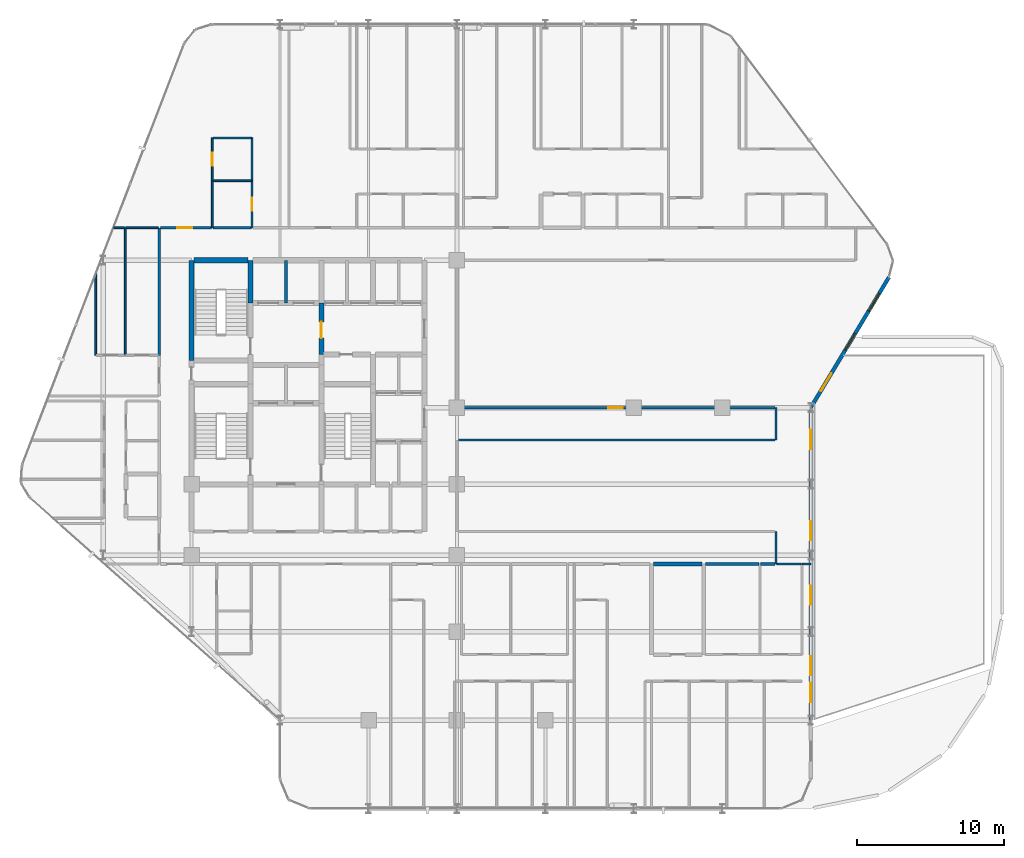
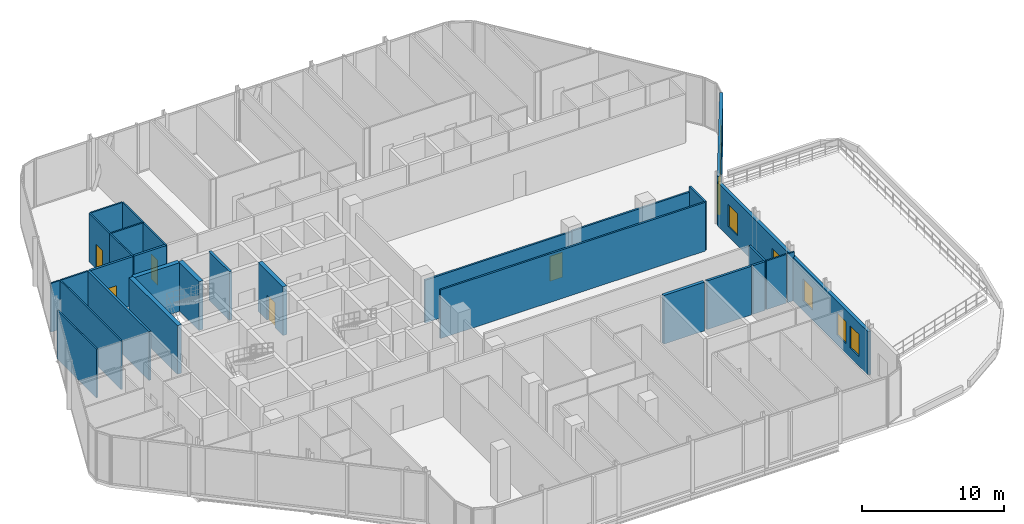
# One storey, part 25 of 30: 30 walls, 7 windows, 6 doors, 13 openings.
"""IFC4 building model written with IfcOpenShell, lengths in metres."""

from ifc_helpers import new_model, si_unit, direction, frame, frame_2d, origin, place, context, subcontext, project, spatial, rectangle, extrude, material, layer, layer_set, type_object, element, fill, save


model = new_model("IFC4")

# Units and contexts
model_context = context("Model", 3, precision=1e-05, world=origin(), true_north=direction((0.0, 1.0)))
body_context = subcontext(model_context, "Body", "Model", "MODEL_VIEW")
ifc_project = project(units=[si_unit("LENGTHUNIT", "METRE"), si_unit("AREAUNIT", "SQUARE_METRE"), si_unit("VOLUMEUNIT", "CUBIC_METRE"), si_unit("PLANEANGLEUNIT", "RADIAN"), si_unit("MASSUNIT", "GRAM", prefix="KILO")], contexts=[model_context])

# Site, building, storey
site_placement = place(None, origin())
site = spatial("IfcSite", under=ifc_project, at=site_placement, CompositionType="ELEMENT")
building_placement = place(site_placement, origin())
building = spatial("IfcBuilding", under=site, at=building_placement, Name="Keshet Zoharim Tower", CompositionType="ELEMENT")
storey_placement = place(building_placement, frame((0.0, 0.0, 86.39990234375)))
storey = spatial("IfcBuildingStorey", under=building, at=storey_placement, Name="L20", CompositionType="ELEMENT", Elevation=86.39990234375)

# Walls
ifc_material_1 = material(Name="Gypsum Plasterboard", Category="gypsum")
ifc_layer_1 = layer(ifc_material_1, 0.14990234375)
ifc_layer_set_1 = layer_set([ifc_layer_1], Name="Gypsum Plasterboard")
wall_type_1 = type_object("IfcWallType", Name="WL-CLIN-150", PredefinedType="STANDARD", material=ifc_layer_set_1)
wall_1_placement = place(storey_placement, frame((54.64990234375, 17.31005859375, 0.0), z_axis=(0.0, 0.0, 1.0), x_axis=(0.0, 1.0, 0.0)))
element("IfcWall", 1, at=wall_1_placement, inside=storey, type_object=wall_type_1, Name="L20 Interior Wall 110", PredefinedType="STANDARD", context=body_context, shape_type="SweptSolid", body=[
    extrude(rectangle(XDim=2.18994140625, YDim=0.14990234375, at=frame_2d((1.094970703125, 0.0))), origin(), (0.0, 0.0, 1.0), 4.18505859375),
])
wall_2_placement = place(storey_placement, frame((54.64990234375, 25.699951171875, 0.0), z_axis=(0.0, 0.0, 1.0), x_axis=(0.0, 1.0, 0.0)))
element("IfcWall", 2, at=wall_2_placement, inside=storey, type_object=wall_type_1, Name="L20 Interior Wall 111", PredefinedType="STANDARD", context=body_context, shape_type="SweptSolid", body=[
    extrude(rectangle(XDim=2.199951171875, YDim=0.14990234375, at=frame_2d((1.10009765625, 0.0))), origin(), (0.0, 0.0, 1.0), 4.18505859375),
])
wall_3_placement = place(storey_placement, frame((33.070068359375, 25.699951171875, 0.0), z_axis=(0.0, 0.0, 1.0), x_axis=(1.0, 0.0, 0.0)))
element("IfcWall", 3, at=wall_3_placement, inside=storey, type_object=wall_type_1, Name="L20 Interior Wall 162", PredefinedType="STANDARD", context=body_context, shape_type="SweptSolid", body=[
    extrude(rectangle(XDim=21.510009765625, YDim=0.14990234375, at=frame_2d((10.7548828125, 0.0))), origin(), (0.0, 0.0, 1.0), 4.18505859375),
])

# Wall, opening, door
wall_4_placement = place(storey_placement, frame((33.070068359375, 27.89990234375, 0.0), z_axis=(0.0, 0.0, 1.0), x_axis=(1.0, 0.0, 0.0)))
wall_4 = element("IfcWall", 4, at=wall_4_placement, inside=storey, type_object=wall_type_1, Name="L20 Interior Wall 163", PredefinedType="STANDARD", context=body_context, shape_type="SweptSolid", body=[
    extrude(rectangle(XDim=11.929931640625, YDim=0.14990234375, at=frame_2d((5.96484375, 0.0))), origin(), (0.0, 0.0, 1.0), 3.68505859375),
])
opening_1_placement = place(wall_4_placement, frame((10.18505859375, 0.0, 0.0)))
opening_1 = element("IfcOpeningElement", 5, at=opening_1_placement, cuts=wall_4, Name="Opening D-F310", PredefinedType="OPENING", context=body_context, shape_type="SweptSolid", body=[
    extrude(rectangle(XDim=1.0, YDim=2.14990234375, at=frame_2d((0.5, 1.074951171875))), frame((0.0, 0.0849609375, 0.0), z_axis=(0.0, -1.0, 0.0), x_axis=(1.0, 0.0, 0.0)), (0.0, 0.0, 1.0), 0.169921875),
])
ifc_material_2 = material(Name="Hardwood Timber", Category="wood")
door_type_1 = type_object("IfcDoorType", Name="DR-FD30-100", OperationType="NOTDEFINED", PredefinedType="DOOR", material=ifc_material_2)
door_1_placement = place(opening_1_placement, origin())
door_1 = element("IfcDoor", 6, at=door_1_placement, inside=storey, type_object=door_type_1, Name="L20 North East Residents Services Suite Door 2", OperationType="SINGLE_SWING_RIGHT", OverallHeight=2.14990234375, OverallWidth=1.0, PredefinedType="DOOR", context=body_context, shape_type="SweptSolid", body=[
    extrude(rectangle(XDim=1.0, YDim=2.14990234375, at=frame_2d((0.5, 1.074951171875))), frame((0.0, 0.02490234375, 0.0), z_axis=(0.0, -1.0, 0.0), x_axis=(1.0, 0.0, 0.0)), (0.0, 0.0, 1.0), 0.050048828125),
])
fill(opening_1, door_1)

# Walls
wall_5_placement = place(storey_placement, frame((45.0, 27.89990234375, 0.0), z_axis=(0.0, 0.0, 1.0), x_axis=(1.0, 0.0, 0.0)))
element("IfcWall", 7, at=wall_5_placement, inside=storey, type_object=wall_type_1, Name="L20 Interior Wall 163 Part 2", PredefinedType="STANDARD", context=body_context, shape_type="SweptSolid", body=[
    extrude(rectangle(XDim=9.580078125, YDim=0.14990234375, at=frame_2d((4.7900390625, 0.0))), origin(), (0.0, 0.0, 1.0), 3.735107421875),
])
ifc_material_3 = material(Name="Concrete C60/75", Category="concrete")
ifc_layer_2 = layer(ifc_material_3, 0.35009765625)
ifc_layer_set_2 = layer_set([ifc_layer_2], Name="Concrete C60/75")
wall_type_2 = type_object("IfcWallType", Name="WL-CORE-350", PredefinedType="SHEAR", material=ifc_layer_set_2)
wall_6_placement = place(storey_placement, frame((15.0, 31.10009765625, 0.0), z_axis=(0.0, 0.0, 1.0), x_axis=(0.0, 1.0, 0.0)))
element("IfcWall", 8, at=wall_6_placement, inside=storey, type_object=wall_type_2, Name="L20 Core Shear Wall 016", PredefinedType="SHEAR", context=body_context, shape_type="SweptSolid", body=[
    extrude(rectangle(XDim=6.7998046875, YDim=0.35009765625, at=frame_2d((3.39990234375, 0.0))), origin(), (0.0, 0.0, 1.0), 4.18505859375),
])
wall_7_placement = place(storey_placement, frame((19.0, 35.0, 0.0), z_axis=(0.0, 0.0, 1.0), x_axis=(0.0, 1.0, 0.0)))
element("IfcWall", 9, at=wall_7_placement, inside=storey, type_object=wall_type_2, Name="L20 Core Shear Wall 025", PredefinedType="SHEAR", context=body_context, shape_type="SweptSolid", body=[
    extrude(rectangle(XDim=2.89990234375, YDim=0.35009765625, at=frame_2d((1.449951171875, 0.0))), origin(), (0.0, 0.0, 1.0), 4.18505859375),
])

# Wall, opening, door
wall_8_placement = place(storey_placement, frame((23.800048828125, 31.5, 0.0), z_axis=(0.0, 0.0, 1.0), x_axis=(0.0, 1.0, 0.0)))
wall_8 = element("IfcWall", 10, at=wall_8_placement, inside=storey, type_object=wall_type_2, Name="L20 Core Shear Wall 039", PredefinedType="SHEAR", context=body_context, shape_type="SweptSolid", body=[
    extrude(rectangle(XDim=3.5, YDim=0.35009765625, at=frame_2d((1.75, 0.0))), origin(), (0.0, 0.0, 1.0), 4.18505859375),
])
opening_2_placement = place(wall_8_placement, frame((1.126953125, 0.0, 0.0)))
opening_2 = element("IfcOpeningElement", 11, at=opening_2_placement, cuts=wall_8, Name="Opening D-F611", PredefinedType="OPENING", context=body_context, shape_type="SweptSolid", body=[
    extrude(rectangle(XDim=1.10009765625, YDim=2.14990234375, at=frame_2d((0.550048828125, 1.074951171875))), frame((0.0, 0.18505859375, 0.0), z_axis=(0.0, -1.0, 0.0), x_axis=(1.0, 0.0, 0.0)), (0.0, 0.0, 1.0), 0.3701171875),
])
door_type_2 = type_object("IfcDoorType", Name="DR-FD60-110", OperationType="NOTDEFINED", PredefinedType="DOOR", material=ifc_material_2)
door_2_placement = place(opening_2_placement, origin())
door_2 = element("IfcDoor", 12, at=door_2_placement, inside=storey, type_object=door_type_2, Name="L20 Firefighting Lobby Fire Door", OperationType="SINGLE_SWING_LEFT", OverallHeight=2.14990234375, OverallWidth=1.10009765625, PredefinedType="DOOR", context=body_context, shape_type="SweptSolid", body=[
    extrude(rectangle(XDim=1.10009765625, YDim=2.14990234375, at=frame_2d((0.550048828125, 1.074951171875))), frame((0.0, 0.02490234375, 0.0), z_axis=(0.0, -1.0, 0.0), x_axis=(1.0, 0.0, 0.0)), (0.0, 0.0, 1.0), 0.050048828125),
])
fill(opening_2, door_2)

# Walls
wall_9_placement = place(storey_placement, frame((15.159912109375, 37.89990234375, 0.0), z_axis=(0.0, 0.0, 1.0), x_axis=(1.0, 0.0, 0.0)))
element("IfcWall", 13, at=wall_9_placement, inside=storey, type_object=wall_type_2, Name="L20 Core Shear Wall 179", PredefinedType="SHEAR", context=body_context, shape_type="SweptSolid", body=[
    extrude(rectangle(XDim=3.68017578125, YDim=0.35009765625, at=frame_2d((1.840087890625, 0.0))), origin(), (0.0, 0.0, 1.0), 4.18505859375),
])
ifc_layer_3 = layer(ifc_material_1, 0.179931640625)
ifc_layer_set_3 = layer_set([ifc_layer_3], Name="Gypsum Plasterboard")
wall_type_3 = type_object("IfcWallType", Name="WL-CORR-180", PredefinedType="STANDARD", material=ifc_layer_set_3)
wall_10_placement = place(storey_placement, frame((12.800048828125, 31.449951171875, 0.0), z_axis=(0.0, 0.0, 1.0), x_axis=(0.0, 1.0, 0.0)))
element("IfcWall", 14, at=wall_10_placement, inside=storey, type_object=wall_type_3, Name="L20 Interior Wall 012", PredefinedType="STANDARD", context=body_context, shape_type="SweptSolid", body=[
    extrude(rectangle(XDim=8.650146484375, YDim=0.179931640625, at=frame_2d((4.3251953125, 0.0))), origin(), (0.0, 0.0, 1.0), 4.18505859375),
])
wall_11_placement = place(storey_placement, frame((49.84912109375, 17.300048828125, 0.0), z_axis=(0.0, 0.0, 1.0), x_axis=(1.0, 0.0, 0.0)))
element("IfcWall", 15, at=wall_11_placement, inside=storey, type_object=wall_type_3, Name="L20 Interior Wall 140", PredefinedType="STANDARD", context=body_context, shape_type="SweptSolid", body=[
    extrude(rectangle(XDim=3.64794921875, YDim=0.179931640625, at=frame_2d((1.823974609375, 0.0))), origin(), (0.0, 0.0, 1.0), 4.18505859375),
])
wall_12_placement = place(storey_placement, frame((53.5869140625, 17.300048828125, 0.0), z_axis=(0.0, 0.0, 1.0), x_axis=(1.0, 0.0, 0.0)))
element("IfcWall", 16, at=wall_12_placement, inside=storey, type_object=wall_type_3, Name="L20 Interior Wall 141", PredefinedType="STANDARD", context=body_context, shape_type="SweptSolid", body=[
    extrude(rectangle(XDim=0.9931640625, YDim=0.179931640625, at=frame_2d((0.49658203125, 0.0))), origin(), (0.0, 0.0, 1.0), 4.18505859375),
])

# Wall, opening, door
wall_13_placement = place(storey_placement, frame((12.875, 40.10009765625, 0.0), z_axis=(0.0, 0.0, 1.0), x_axis=(1.0, 0.0, 0.0)))
wall_13 = element("IfcWall", 17, at=wall_13_placement, inside=storey, type_object=wall_type_3, Name="L20 Interior Wall 184", PredefinedType="STANDARD", context=body_context, shape_type="SweptSolid", body=[
    extrude(rectangle(XDim=3.489990234375, YDim=0.179931640625, at=frame_2d((1.7451171875, 0.0))), origin(), (0.0, 0.0, 1.0), 4.18505859375),
])
opening_3_placement = place(wall_13_placement, frame((1.159912109375, 0.0, 0.0)))
opening_3 = element("IfcOpeningElement", 18, at=opening_3_placement, cuts=wall_13, Name="Opening D-F310", PredefinedType="OPENING", context=body_context, shape_type="SweptSolid", body=[
    extrude(rectangle(XDim=1.0, YDim=2.14990234375, at=frame_2d((0.5, 1.074951171875))), frame((0.0, 0.10009765625, 0.0), z_axis=(0.0, -1.0, 0.0), x_axis=(1.0, 0.0, 0.0)), (0.0, 0.0, 1.0), 0.199951171875),
])
door_3_placement = place(opening_3_placement, origin())
door_3 = element("IfcDoor", 19, at=door_3_placement, inside=storey, type_object=door_type_1, Name="Apartment 2004 Entrance Door", OperationType="SINGLE_SWING_LEFT", OverallHeight=2.14990234375, OverallWidth=1.0, PredefinedType="DOOR", context=body_context, shape_type="SweptSolid", body=[
    extrude(rectangle(XDim=1.0, YDim=2.14990234375, at=frame_2d((0.5, 1.074951171875))), frame((0.0, 0.02490234375, 0.0), z_axis=(0.0, -1.0, 0.0), x_axis=(1.0, 0.0, 0.0)), (0.0, 0.0, 1.0), 0.050048828125),
])
fill(opening_3, door_3)

# Wall
wall_14_placement = place(storey_placement, frame((16.455078125, 40.10009765625, 0.0), z_axis=(0.0, 0.0, 1.0), x_axis=(1.0, 0.0, 0.0)))
element("IfcWall", 20, at=wall_14_placement, inside=storey, type_object=wall_type_3, Name="L20 Interior Wall 185", PredefinedType="STANDARD", context=body_context, shape_type="SweptSolid", body=[
    extrude(rectangle(XDim=2.60986328125, YDim=0.179931640625, at=frame_2d((1.304931640625, 0.0))), origin(), (0.0, 0.0, 1.0), 4.18505859375),
])

# Wall, openings, door, windows
ifc_material_4 = material(Name="Concrete C50/60 precast", Category="concrete")
ifc_layer_4 = layer(ifc_material_4, 0.260009765625)
ifc_layer_set_4 = layer_set([ifc_layer_4], Name="Concrete C50/60 precast")
wall_type_4 = type_object("IfcWallType", Name="WL-EXT-260", PredefinedType="STANDARD", material=ifc_layer_set_4)
wall_15_placement = place(storey_placement, frame((62.30810546875, 36.7470703125, 0.0), z_axis=(0.0, 0.0, 1.0), x_axis=(-0.514481835924, -0.857501277261, 0.0)))
wall_15 = element("IfcWall", 21, at=wall_15_placement, inside=storey, type_object=wall_type_4, Name="L20 Exterior Facade Wall 01", PredefinedType="STANDARD", context=body_context, shape_type="SweptSolid", body=[
    extrude(rectangle(XDim=10.3173828125, YDim=0.260009765625, at=frame_2d((5.15869140625, 0.0))), origin(), (0.0, 0.0, 1.0), 4.18505859375),
])
opening_4_placement = place(wall_15_placement, frame((7.60400390625, 0.0, 0.0)))
opening_4 = element("IfcOpeningElement", 22, at=opening_4_placement, cuts=wall_15, Name="Opening D-TR14", PredefinedType="OPENING", context=body_context, shape_type="SweptSolid", body=[
    extrude(rectangle(XDim=1.39990234375, YDim=2.199951171875, at=frame_2d((0.699951171875, 1.10009765625))), frame((0.0, 0.14013671875, 0.0), z_axis=(0.0, -1.0, 0.0), x_axis=(1.0, 0.0, 0.0)), (0.0, 0.0, 1.0), 0.280029296875),
])
opening_5_placement = place(wall_15_placement, frame((1.285888671875, 0.0, 0.89990234375)))
opening_5 = element("IfcOpeningElement", 23, at=opening_5_placement, cuts=wall_15, Name="Opening W-140", PredefinedType="OPENING", context=body_context, shape_type="SweptSolid", body=[
    extrude(rectangle(XDim=1.39990234375, YDim=1.85009765625, at=frame_2d((0.699951171875, 0.925048828125))), frame((0.0, 0.14013671875, 0.0), z_axis=(0.0, -1.0, 0.0), x_axis=(1.0, 0.0, 0.0)), (0.0, 0.0, 1.0), 0.280029296875),
])
opening_6_placement = place(wall_15_placement, frame((4.458984375, 0.0, 0.89990234375)))
opening_6 = element("IfcOpeningElement", 24, at=opening_6_placement, cuts=wall_15, Name="Opening W-130", PredefinedType="OPENING", context=body_context, shape_type="SweptSolid", body=[
    extrude(rectangle(XDim=1.300048828125, YDim=1.89990234375, at=frame_2d((0.64990234375, 0.949951171875))), frame((0.0, 0.14013671875, 0.0), z_axis=(0.0, -1.0, 0.0), x_axis=(1.0, 0.0, 0.0)), (0.0, 0.0, 1.0), 0.280029296875),
])
ifc_material_5 = material(Name="Aluminium 6063-T6", Category="aluminium")
door_type_3 = type_object("IfcDoorType", Name="DR-TER-140", OperationType="DOUBLE_DOOR_SINGLE_SWING", PredefinedType="DOOR", material=ifc_material_5)
door_4_placement = place(opening_4_placement, origin())
door_4 = element("IfcDoor", 25, at=door_4_placement, inside=storey, type_object=door_type_3, Name="L20 Sky Terrace Access Door 01", OperationType="DOUBLE_DOOR_SINGLE_SWING", OverallHeight=2.199951171875, OverallWidth=1.39990234375, PredefinedType="DOOR", context=body_context, shape_type="SweptSolid", body=[
    extrude(rectangle(XDim=1.39990234375, YDim=2.199951171875, at=frame_2d((0.699951171875, 1.10009765625))), frame((0.0, 0.02490234375, 0.0), z_axis=(0.0, -1.0, 0.0), x_axis=(1.0, 0.0, 0.0)), (0.0, 0.0, 1.0), 0.050048828125),
])
fill(opening_4, door_4)
ifc_material_6 = material(Name="Insulated Low-E Clear Glass", Category="glass")
window_type_1 = type_object("IfcWindowType", Name="WN-CRN-130", PartitioningType="SINGLE_PANEL", PredefinedType="WINDOW", material=ifc_material_6)
window_1_placement = place(opening_6_placement, origin())
window_1 = element("IfcWindow", 26, at=window_1_placement, inside=storey, type_object=window_type_1, Name="L20 Terrace Side Window 02", OverallHeight=1.89990234375, OverallWidth=1.300048828125, PartitioningType="SINGLE_PANEL", PredefinedType="WINDOW", context=body_context, shape_type="SweptSolid", body=[
    extrude(rectangle(XDim=1.300048828125, YDim=1.89990234375, at=frame_2d((0.64990234375, 0.949951171875))), frame((0.0, 0.030029296875, 0.0), z_axis=(0.0, -1.0, 0.0), x_axis=(1.0, 0.0, 0.0)), (0.0, 0.0, 1.0), 0.06005859375),
])
fill(opening_6, window_1)
window_type_2 = type_object("IfcWindowType", Name="WN-TER-140", PartitioningType="SINGLE_PANEL", PredefinedType="WINDOW", material=ifc_material_6)
window_2_placement = place(opening_5_placement, origin())
window_2 = element("IfcWindow", 27, at=window_2_placement, inside=storey, type_object=window_type_2, Name="L20 Terrace Side Window 01", OverallHeight=1.85009765625, OverallWidth=1.39990234375, PartitioningType="SINGLE_PANEL", PredefinedType="WINDOW", context=body_context, shape_type="SweptSolid", body=[
    extrude(rectangle(XDim=1.39990234375, YDim=1.85009765625, at=frame_2d((0.699951171875, 0.925048828125))), frame((0.0, 0.030029296875, 0.0), z_axis=(0.0, -1.0, 0.0), x_axis=(1.0, 0.0, 0.0)), (0.0, 0.0, 1.0), 0.06005859375),
])
fill(opening_5, window_2)

# Wall, openings, windows
wall_16_placement = place(storey_placement, frame((57.0, 27.89990234375, 0.0), z_axis=(0.0, 0.0, 1.0), x_axis=(0.0, -1.0, 0.0)))
wall_16 = element("IfcWall", 28, at=wall_16_placement, inside=storey, type_object=wall_type_4, Name="L20 Exterior Facade Wall 02", PredefinedType="STANDARD", context=body_context, shape_type="SweptSolid", body=[
    extrude(rectangle(XDim=21.199951171875, YDim=0.260009765625, at=frame_2d((10.60009765625, 0.0))), origin(), (0.0, 0.0, 1.0), 3.735107421875),
])
opening_7_placement = place(wall_16_placement, frame((1.510986328125, 0.0, 0.85009765625)))
opening_7 = element("IfcOpeningElement", 29, at=opening_7_placement, cuts=wall_16, Name="Opening W-130", PredefinedType="OPENING", context=body_context, shape_type="SweptSolid", body=[
    extrude(rectangle(XDim=1.300048828125, YDim=1.89990234375, at=frame_2d((0.64990234375, 0.949951171875))), frame((0.0, 0.14013671875, 0.0), z_axis=(0.0, -1.0, 0.0), x_axis=(1.0, 0.0, 0.0)), (0.0, 0.0, 1.0), 0.280029296875),
])
opening_8_placement = place(wall_16_placement, frame((7.70703125, 0.0, 0.85009765625)))
opening_8 = element("IfcOpeningElement", 30, at=opening_8_placement, cuts=wall_16, Name="Opening W-130", PredefinedType="OPENING", context=body_context, shape_type="SweptSolid", body=[
    extrude(rectangle(XDim=1.300048828125, YDim=1.89990234375, at=frame_2d((0.64990234375, 0.949951171875))), frame((0.0, 0.14013671875, 0.0), z_axis=(0.0, -1.0, 0.0), x_axis=(1.0, 0.0, 0.0)), (0.0, 0.0, 1.0), 0.280029296875),
])
opening_9_placement = place(wall_16_placement, frame((12.080078125, 0.0, 0.85009765625)))
opening_9 = element("IfcOpeningElement", 31, at=opening_9_placement, cuts=wall_16, Name="Opening W-130", PredefinedType="OPENING", context=body_context, shape_type="SweptSolid", body=[
    extrude(rectangle(XDim=1.300048828125, YDim=1.89990234375, at=frame_2d((0.64990234375, 0.949951171875))), frame((0.0, 0.14013671875, 0.0), z_axis=(0.0, -1.0, 0.0), x_axis=(1.0, 0.0, 0.0)), (0.0, 0.0, 1.0), 0.280029296875),
])
opening_10_placement = place(wall_16_placement, frame((16.85302734375, 0.0, 0.85009765625)))
opening_10 = element("IfcOpeningElement", 32, at=opening_10_placement, cuts=wall_16, Name="Opening W-130", PredefinedType="OPENING", context=body_context, shape_type="SweptSolid", body=[
    extrude(rectangle(XDim=1.300048828125, YDim=1.89990234375, at=frame_2d((0.64990234375, 0.949951171875))), frame((0.0, 0.14013671875, 0.0), z_axis=(0.0, -1.0, 0.0), x_axis=(1.0, 0.0, 0.0)), (0.0, 0.0, 1.0), 0.280029296875),
])
opening_11_placement = place(wall_16_placement, frame((18.676025390625, 0.0, 0.85009765625)))
opening_11 = element("IfcOpeningElement", 33, at=opening_11_placement, cuts=wall_16, Name="Opening W-130", PredefinedType="OPENING", context=body_context, shape_type="SweptSolid", body=[
    extrude(rectangle(XDim=1.300048828125, YDim=1.89990234375, at=frame_2d((0.64990234375, 0.949951171875))), frame((0.0, 0.14013671875, 0.0), z_axis=(0.0, -1.0, 0.0), x_axis=(1.0, 0.0, 0.0)), (0.0, 0.0, 1.0), 0.280029296875),
])
window_3_placement = place(opening_7_placement, origin())
window_3 = element("IfcWindow", 34, at=window_3_placement, inside=storey, type_object=window_type_1, Name="L20 Wind-Corner Window 03", OverallHeight=1.89990234375, OverallWidth=1.300048828125, PartitioningType="SINGLE_PANEL", PredefinedType="WINDOW", context=body_context, shape_type="SweptSolid", body=[
    extrude(rectangle(XDim=1.300048828125, YDim=1.89990234375, at=frame_2d((0.64990234375, 0.949951171875))), frame((0.0, 0.030029296875, 0.0), z_axis=(0.0, -1.0, 0.0), x_axis=(1.0, 0.0, 0.0)), (0.0, 0.0, 1.0), 0.06005859375),
])
fill(opening_7, window_3)
window_4_placement = place(opening_8_placement, origin())
window_4 = element("IfcWindow", 35, at=window_4_placement, inside=storey, type_object=window_type_1, Name="L20 Wind-Corner Window 04", OverallHeight=1.89990234375, OverallWidth=1.300048828125, PartitioningType="SINGLE_PANEL", PredefinedType="WINDOW", context=body_context, shape_type="SweptSolid", body=[
    extrude(rectangle(XDim=1.300048828125, YDim=1.89990234375, at=frame_2d((0.64990234375, 0.949951171875))), frame((0.0, 0.030029296875, 0.0), z_axis=(0.0, -1.0, 0.0), x_axis=(1.0, 0.0, 0.0)), (0.0, 0.0, 1.0), 0.06005859375),
])
fill(opening_8, window_4)
window_5_placement = place(opening_9_placement, origin())
window_5 = element("IfcWindow", 36, at=window_5_placement, inside=storey, type_object=window_type_1, Name="L20 Wind-Corner Window 05", OverallHeight=1.89990234375, OverallWidth=1.300048828125, PartitioningType="SINGLE_PANEL", PredefinedType="WINDOW", context=body_context, shape_type="SweptSolid", body=[
    extrude(rectangle(XDim=1.300048828125, YDim=1.89990234375, at=frame_2d((0.64990234375, 0.949951171875))), frame((0.0, 0.030029296875, 0.0), z_axis=(0.0, -1.0, 0.0), x_axis=(1.0, 0.0, 0.0)), (0.0, 0.0, 1.0), 0.06005859375),
])
fill(opening_9, window_5)
window_6_placement = place(opening_10_placement, origin())
window_6 = element("IfcWindow", 37, at=window_6_placement, inside=storey, type_object=window_type_1, Name="L20 Wind-Corner Window 06", OverallHeight=1.89990234375, OverallWidth=1.300048828125, PartitioningType="SINGLE_PANEL", PredefinedType="WINDOW", context=body_context, shape_type="SweptSolid", body=[
    extrude(rectangle(XDim=1.300048828125, YDim=1.89990234375, at=frame_2d((0.64990234375, 0.949951171875))), frame((0.0, 0.030029296875, 0.0), z_axis=(0.0, -1.0, 0.0), x_axis=(1.0, 0.0, 0.0)), (0.0, 0.0, 1.0), 0.06005859375),
])
fill(opening_10, window_6)
window_7_placement = place(opening_11_placement, origin())
window_7 = element("IfcWindow", 38, at=window_7_placement, inside=storey, type_object=window_type_1, Name="L20 Wind-Corner Window 07", OverallHeight=1.89990234375, OverallWidth=1.300048828125, PartitioningType="SINGLE_PANEL", PredefinedType="WINDOW", context=body_context, shape_type="SweptSolid", body=[
    extrude(rectangle(XDim=1.300048828125, YDim=1.89990234375, at=frame_2d((0.64990234375, 0.949951171875))), frame((0.0, 0.030029296875, 0.0), z_axis=(0.0, -1.0, 0.0), x_axis=(1.0, 0.0, 0.0)), (0.0, 0.0, 1.0), 0.06005859375),
])
fill(opening_11, window_7)

# Walls
ifc_material_7 = material(Name="Concrete C50/60", Category="concrete")
ifc_layer_5 = layer(ifc_material_7, 0.199951171875)
ifc_layer_set_5 = layer_set([ifc_layer_5], Name="Concrete C50/60")
wall_type_5 = type_object("IfcWallType", Name="WL-FIRE-200", PredefinedType="STANDARD", material=ifc_layer_set_5)
wall_17_placement = place(storey_placement, frame((21.39990234375, 35.0, 0.0), z_axis=(0.0, 0.0, 1.0), x_axis=(0.0, 1.0, 0.0)))
element("IfcWall", 39, at=wall_17_placement, inside=storey, type_object=wall_type_5, Name="L20 Interior Wall 032", PredefinedType="STANDARD", context=body_context, shape_type="SweptSolid", body=[
    extrude(rectangle(XDim=2.89990234375, YDim=0.199951171875, at=frame_2d((1.449951171875, 0.0))), origin(), (0.0, 0.0, 1.0), 4.18505859375),
])
ifc_layer_6 = layer(ifc_material_7, 0.25)
ifc_layer_set_6 = layer_set([ifc_layer_6], Name="Concrete C50/60")
wall_type_6 = type_object("IfcWallType", Name="WL-MAMAD-250", PredefinedType="STANDARD", material=ifc_layer_set_6)
wall_18_placement = place(storey_placement, frame((46.330078125, 17.300048828125, 0.0), z_axis=(0.0, 0.0, 1.0), x_axis=(1.0, 0.0, 0.0)))
element("IfcWall", 40, at=wall_18_placement, inside=storey, type_object=wall_type_6, Name="L20 Interior Wall 139", PredefinedType="STANDARD", context=body_context, shape_type="SweptSolid", body=[
    extrude(rectangle(XDim=3.298828125, YDim=0.25, at=frame_2d((1.6494140625, 0.0))), origin(), (0.0, 0.0, 1.0), 4.18505859375),
])
ifc_layer_7 = layer(ifc_material_1, 0.1201171875)
ifc_layer_set_7 = layer_set([ifc_layer_7], Name="Gypsum Plasterboard")
wall_type_7 = type_object("IfcWallType", Name="WL-PART-120", PredefinedType="PARTITIONING", material=ifc_layer_set_7)
wall_19_placement = place(storey_placement, frame((8.5, 31.449951171875, 0.0), z_axis=(0.0, 0.0, 1.0), x_axis=(0.0, 1.0, 0.0)))
element("IfcWall", 41, at=wall_19_placement, inside=storey, type_object=wall_type_7, Name="L20 Interior Wall 001", PredefinedType="PARTITIONING", context=body_context, shape_type="SweptSolid", body=[
    extrude(rectangle(XDim=5.5400390625, YDim=0.1201171875, at=frame_2d((2.77001953125, 0.0))), origin(), (0.0, 0.0, 1.0), 4.18505859375),
])
wall_20_placement = place(storey_placement, frame((16.39990234375, 40.10009765625, 0.0), z_axis=(0.0, 0.0, 1.0), x_axis=(0.0, 1.0, 0.0)))
element("IfcWall", 42, at=wall_20_placement, inside=storey, type_object=wall_type_7, Name="L20 Interior Wall 017", PredefinedType="PARTITIONING", context=body_context, shape_type="SweptSolid", body=[
    extrude(rectangle(XDim=3.199951171875, YDim=0.1201171875, at=frame_2d((1.60009765625, 0.0))), origin(), (0.0, 0.0, 1.0), 4.18505859375),
])

# Wall, opening, door
wall_21_placement = place(storey_placement, frame((19.10009765625, 40.10009765625, 0.0), z_axis=(0.0, 0.0, 1.0), x_axis=(0.0, 1.0, 0.0)))
wall_21 = element("IfcWall", 43, at=wall_21_placement, inside=storey, type_object=wall_type_7, Name="L20 Interior Wall 028", PredefinedType="PARTITIONING", context=body_context, shape_type="SweptSolid", body=[
    extrude(rectangle(XDim=3.199951171875, YDim=0.1201171875, at=frame_2d((1.60009765625, 0.0))), origin(), (0.0, 0.0, 1.0), 4.18505859375),
])
opening_12_placement = place(wall_21_placement, frame((1.14990234375, 0.0, 0.0)))
opening_12 = element("IfcOpeningElement", 44, at=opening_12_placement, cuts=wall_21, Name="Opening D-IN90", PredefinedType="OPENING", context=body_context, shape_type="SweptSolid", body=[
    extrude(rectangle(XDim=0.89990234375, YDim=2.14990234375, at=frame_2d((0.449951171875, 1.074951171875))), frame((0.0, 0.070068359375, 0.0), z_axis=(0.0, -1.0, 0.0), x_axis=(1.0, 0.0, 0.0)), (0.0, 0.0, 1.0), 0.14013671875),
])
door_type_4 = type_object("IfcDoorType", Name="DR-INT-090", OperationType="NOTDEFINED", PredefinedType="DOOR", material=ifc_material_2)
door_5_placement = place(opening_12_placement, origin())
door_5 = element("IfcDoor", 45, at=door_5_placement, inside=storey, type_object=door_type_4, Name="Apartment 2004 Kitchenette Door", OperationType="SINGLE_SWING_LEFT", OverallHeight=2.14990234375, OverallWidth=0.89990234375, PredefinedType="DOOR", context=body_context, shape_type="SweptSolid", body=[
    extrude(rectangle(XDim=0.89990234375, YDim=2.14990234375, at=frame_2d((0.449951171875, 1.074951171875))), frame((0.0, 0.02490234375, 0.0), z_axis=(0.0, -1.0, 0.0), x_axis=(1.0, 0.0, 0.0)), (0.0, 0.0, 1.0), 0.050048828125),
])
fill(opening_12, door_5)

# Walls
wall_22_placement = place(storey_placement, frame((56.43505859375, 17.300048828125, 0.0), z_axis=(0.0, 0.0, 1.0), x_axis=(1.0, 0.0, 0.0)))
element("IfcWall", 46, at=wall_22_placement, inside=storey, type_object=wall_type_7, Name="L20 Interior Wall 143", PredefinedType="PARTITIONING", context=body_context, shape_type="SweptSolid", body=[
    extrude(rectangle(XDim=0.554931640625, YDim=0.1201171875, at=frame_2d((0.27734375, 0.0))), origin(), (0.0, 0.0, 1.0), 4.18505859375),
])
wall_23_placement = place(storey_placement, frame((9.701904296875, 40.10009765625, 0.0), z_axis=(0.0, 0.0, 1.0), x_axis=(1.0, 0.0, 0.0)))
element("IfcWall", 47, at=wall_23_placement, inside=storey, type_object=wall_type_7, Name="L20 Interior Wall 182", PredefinedType="PARTITIONING", context=body_context, shape_type="SweptSolid", body=[
    extrude(rectangle(XDim=0.731201171875, YDim=0.1201171875, at=frame_2d((0.36572265625, 0.0))), origin(), (0.0, 0.0, 1.0), 4.18505859375),
])
ifc_layer_8 = layer(ifc_material_1, 0.1201171875)
ifc_layer_set_8 = layer_set([ifc_layer_8], Name="Gypsum Plasterboard")
wall_type_8 = type_object("IfcWallType", Name="WL-WET-120", PredefinedType="PARTITIONING", material=ifc_layer_set_8)
wall_24_placement = place(storey_placement, frame((10.5, 31.449951171875, 0.0), z_axis=(0.0, 0.0, 1.0), x_axis=(0.0, 1.0, 0.0)))
element("IfcWall", 48, at=wall_24_placement, inside=storey, type_object=wall_type_8, Name="L20 Interior Wall 003", PredefinedType="PARTITIONING", context=body_context, shape_type="SweptSolid", body=[
    extrude(rectangle(XDim=8.650146484375, YDim=0.1201171875, at=frame_2d((4.3251953125, 0.0))), origin(), (0.0, 0.0, 1.0), 4.18505859375),
])

# Wall, opening, door
wall_25_placement = place(storey_placement, frame((16.39990234375, 43.300048828125, 0.0), z_axis=(0.0, 0.0, 1.0), x_axis=(0.0, 1.0, 0.0)))
wall_25 = element("IfcWall", 49, at=wall_25_placement, inside=storey, type_object=wall_type_8, Name="L20 Interior Wall 018", PredefinedType="PARTITIONING", context=body_context, shape_type="SweptSolid", body=[
    extrude(rectangle(XDim=2.89990234375, YDim=0.1201171875, at=frame_2d((1.449951171875, 0.0))), origin(), (0.0, 0.0, 1.0), 4.18505859375),
])
opening_13_placement = place(wall_25_placement, frame((1.0, 0.0, 0.0)))
opening_13 = element("IfcOpeningElement", 50, at=opening_13_placement, cuts=wall_25, Name="Opening D-WT90", PredefinedType="OPENING", context=body_context, shape_type="SweptSolid", body=[
    extrude(rectangle(XDim=0.89990234375, YDim=2.10009765625, at=frame_2d((0.449951171875, 1.050048828125))), frame((0.0, 0.070068359375, 0.0), z_axis=(0.0, -1.0, 0.0), x_axis=(1.0, 0.0, 0.0)), (0.0, 0.0, 1.0), 0.14013671875),
])
door_type_5 = type_object("IfcDoorType", Name="DR-WET-090", OperationType="NOTDEFINED", PredefinedType="DOOR", material=ifc_material_2)
door_6_placement = place(opening_13_placement, origin())
door_6 = element("IfcDoor", 51, at=door_6_placement, inside=storey, type_object=door_type_5, Name="Apartment 2004 Bathroom Door", OperationType="SINGLE_SWING_RIGHT", OverallHeight=2.10009765625, OverallWidth=0.89990234375, PredefinedType="DOOR", context=body_context, shape_type="SweptSolid", body=[
    extrude(rectangle(XDim=0.89990234375, YDim=2.10009765625, at=frame_2d((0.449951171875, 1.050048828125))), frame((0.0, 0.02490234375, 0.0), z_axis=(0.0, -1.0, 0.0), x_axis=(1.0, 0.0, 0.0)), (0.0, 0.0, 1.0), 0.050048828125),
])
fill(opening_13, door_6)

# Walls
wall_26_placement = place(storey_placement, frame((19.10009765625, 43.300048828125, 0.0), z_axis=(0.0, 0.0, 1.0), x_axis=(0.0, 1.0, 0.0)))
element("IfcWall", 52, at=wall_26_placement, inside=storey, type_object=wall_type_8, Name="L20 Interior Wall 029", PredefinedType="PARTITIONING", context=body_context, shape_type="SweptSolid", body=[
    extrude(rectangle(XDim=2.89990234375, YDim=0.1201171875, at=frame_2d((1.449951171875, 0.0))), origin(), (0.0, 0.0, 1.0), 4.18505859375),
])
wall_27_placement = place(storey_placement, frame((54.7099609375, 17.300048828125, 0.0), z_axis=(0.0, 0.0, 1.0), x_axis=(1.0, 0.0, 0.0)))
element("IfcWall", 53, at=wall_27_placement, inside=storey, type_object=wall_type_8, Name="L20 Interior Wall 142", PredefinedType="PARTITIONING", context=body_context, shape_type="SweptSolid", body=[
    extrude(rectangle(XDim=1.635009765625, YDim=0.1201171875, at=frame_2d((0.8173828125, 0.0))), origin(), (0.0, 0.0, 1.0), 4.18505859375),
])
wall_28_placement = place(storey_placement, frame((10.52294921875, 40.10009765625, 0.0), z_axis=(0.0, 0.0, 1.0), x_axis=(1.0, 0.0, 0.0)))
element("IfcWall", 54, at=wall_28_placement, inside=storey, type_object=wall_type_8, Name="L20 Interior Wall 183", PredefinedType="PARTITIONING", context=body_context, shape_type="SweptSolid", body=[
    extrude(rectangle(XDim=2.2021484375, YDim=0.1201171875, at=frame_2d((1.10107421875, 0.0))), origin(), (0.0, 0.0, 1.0), 4.18505859375),
])
for number, where, z_axis, x_axis, name in (
    (55, (16.455078125, 43.300048828125, 0.0), (0.0, 0.0, 1.0), (1.0, 0.0, 0.0), "L20 Interior Wall 209"),
    (56, (16.455078125, 46.199951171875, 0.0), (0.0, 0.0, 1.0), (1.0, 0.0, 0.0), "L20 Interior Wall 218"),
):
    element("IfcWall", number, at=place(storey_placement, frame(where, z_axis=z_axis, x_axis=x_axis)), inside=storey, type_object=wall_type_8, Name=name, PredefinedType="PARTITIONING", context=body_context, shape_type="SweptSolid", body=[
        extrude(rectangle(XDim=2.60986328125, YDim=0.1201171875, at=frame_2d((1.304931640625, 0.0))), origin(), (0.0, 0.0, 1.0), 4.18505859375),
    ])

save(model, "model.ifc")
